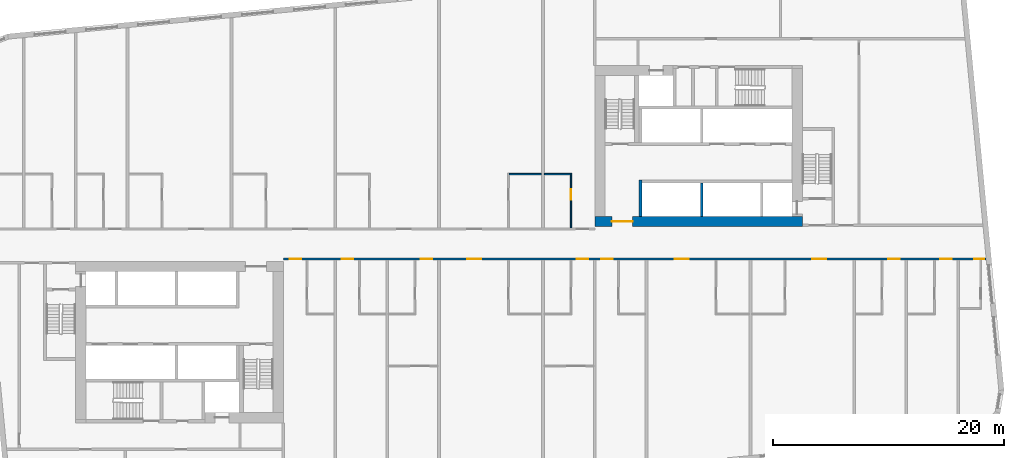
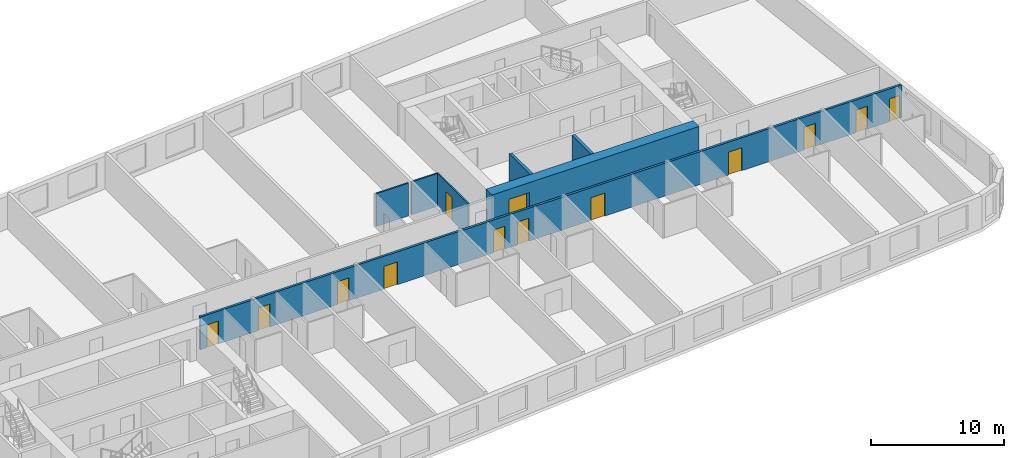
# One storey, part 5 of 12: 13 doors, 7 walls, 13 openings.
"""IFC4 building model written with IfcOpenShell, lengths in metres."""

from ifc_helpers import new_model, si_unit, direction, frame, frame_2d, origin, place, context, subcontext, project, spatial, rectangle, extrude, material, layer, layer_set, type_object, element, fill, save


model = new_model("IFC4")

# Units and contexts
model_context = context("Model", 3, precision=1e-05, world=origin(), true_north=direction((0.0, 1.0)))
body_context = subcontext(model_context, "Body", "Model", "MODEL_VIEW")
ifc_project = project(units=[si_unit("LENGTHUNIT", "METRE"), si_unit("AREAUNIT", "SQUARE_METRE"), si_unit("VOLUMEUNIT", "CUBIC_METRE"), si_unit("PLANEANGLEUNIT", "RADIAN"), si_unit("MASSUNIT", "GRAM", prefix="KILO")], contexts=[model_context])

# Site, building, storey
site_placement = place(None, origin())
site = spatial("IfcSite", under=ifc_project, at=site_placement, CompositionType="ELEMENT")
building_placement = place(site_placement, origin())
building = spatial("IfcBuilding", under=site, at=building_placement, Name="Kajstack Hotel Tower", CompositionType="ELEMENT")
storey_placement = place(building_placement, frame((0.0, 0.0, 114.10009765625)))
storey = spatial("IfcBuildingStorey", under=building, at=storey_placement, Name="L24", CompositionType="ELEMENT", Elevation=114.10009765625)

# Wall, opening, door
ifc_material_1 = material(Name="Concrete C60/75", Category="concrete")
ifc_layer_1 = layer(ifc_material_1, 0.89990234375)
ifc_layer_set_1 = layer_set([ifc_layer_1], Name="Core wall 900")
wall_type_1 = type_object("IfcWallType", Name="Core wall 900", PredefinedType="SHEAR", material=ifc_layer_set_1)
wall_1_placement = place(storey_placement, frame((13.5, 1.949951171875, 0.0), z_axis=(0.0, 0.0, 1.0), x_axis=(1.0, 0.0, 0.0)))
wall_1 = element("IfcWall", 1, at=wall_1_placement, inside=storey, type_object=wall_type_1, Name="Core wall E RN", PredefinedType="SHEAR", context=body_context, shape_type="SweptSolid", body=[
    extrude(rectangle(XDim=18.0, YDim=0.89990234375, at=frame_2d((9.0, 0.0))), origin(), (0.0, 0.0, 1.0), 3.02001953125),
])
opening_1_placement = place(wall_1_placement, frame((1.47509765625, 0.0, 0.0)))
opening_1 = element("IfcOpeningElement", 2, at=opening_1_placement, cuts=wall_1, Name="Opening 24E06", PredefinedType="OPENING", context=body_context, shape_type="SweptSolid", body=[
    extrude(rectangle(XDim=1.800048828125, YDim=2.10009765625, at=frame_2d((0.89990234375, 1.050048828125))), frame((0.0, 0.4599609375, 0.0), z_axis=(0.0, -1.0, 0.0), x_axis=(1.0, 0.0, 0.0)), (0.0, 0.0, 1.0), 0.919921875),
])
ifc_material_2 = material(Name="Glazed steel frame, fire-rated glass", Category="steel")
door_type_1 = type_object("IfcDoorType", Name="Lobby double door 1800", OperationType="DOUBLE_DOOR_DOUBLE_SWING", PredefinedType="DOOR", material=ifc_material_2)
door_1_placement = place(opening_1_placement, origin())
door_1 = element("IfcDoor", 3, at=door_1_placement, inside=storey, type_object=door_type_1, Name="Door 24E06", OperationType="DOUBLE_DOOR_DOUBLE_SWING", OverallHeight=2.10009765625, OverallWidth=1.800048828125, PredefinedType="DOOR", context=body_context, shape_type="SweptSolid", body=[
    extrude(rectangle(XDim=1.800048828125, YDim=2.10009765625, at=frame_2d((0.89990234375, 1.050048828125))), frame((0.0, 0.02490234375, 0.0), z_axis=(0.0, -1.0, 0.0), x_axis=(1.0, 0.0, 0.0)), (0.0, 0.0, 1.0), 0.050048828125),
])
fill(opening_1, door_1)

# Wall, openings, doors
ifc_material_3 = material(Name="Gypsum board on steel studs, mineral wool", Category="steel")
ifc_layer_2 = layer(ifc_material_3, 0.199951171875)
ifc_layer_set_2 = layer_set([ifc_layer_2], Name="Corridor wall 200")
wall_type_2 = type_object("IfcWallType", Name="Corridor wall 200", PredefinedType="PARTITIONING", material=ifc_layer_set_2)
wall_2_placement = place(storey_placement, frame((-13.5, -1.300048828125, 0.0), z_axis=(0.0, 0.0, 1.0), x_axis=(1.0, 0.0, 0.0)))
wall_2 = element("IfcWall", 4, at=wall_2_placement, inside=storey, type_object=wall_type_2, Name="G-wall-L24-021", PredefinedType="PARTITIONING", context=body_context, shape_type="SweptSolid", body=[
    extrude(rectangle(XDim=60.931884765625, YDim=0.199951171875, at=frame_2d((30.4658203125, 0.0))), origin(), (0.0, 0.0, 1.0), 3.02001953125),
])
opening_2_placement = place(wall_2_placement, frame((0.574951171875, 0.0, 0.0)))
opening_2 = element("IfcOpeningElement", 5, at=opening_2_placement, cuts=wall_2, Name="Opening 24017", PredefinedType="OPENING", context=body_context, shape_type="SweptSolid", body=[
    extrude(rectangle(XDim=1.0, YDim=2.10009765625, at=frame_2d((0.5, 1.050048828125))), frame((0.0, 0.10986328125, 0.0), z_axis=(0.0, -1.0, 0.0), x_axis=(1.0, 0.0, 0.0)), (0.0, 0.0, 1.0), 0.219970703125),
])
opening_3_placement = place(wall_2_placement, frame((5.074951171875, 0.0, 0.0)))
opening_3 = element("IfcOpeningElement", 6, at=opening_3_placement, cuts=wall_2, Name="Opening 24019", PredefinedType="OPENING", context=body_context, shape_type="SweptSolid", body=[
    extrude(rectangle(XDim=1.0, YDim=2.10009765625, at=frame_2d((0.5, 1.050048828125))), frame((0.0, 0.10986328125, 0.0), z_axis=(0.0, -1.0, 0.0), x_axis=(1.0, 0.0, 0.0)), (0.0, 0.0, 1.0), 0.219970703125),
])
opening_4_placement = place(wall_2_placement, frame((11.925048828125, 0.0, 0.0)))
opening_4 = element("IfcOpeningElement", 7, at=opening_4_placement, cuts=wall_2, Name="Opening 24021", PredefinedType="OPENING", context=body_context, shape_type="SweptSolid", body=[
    extrude(rectangle(XDim=1.0, YDim=2.10009765625, at=frame_2d((0.5, 1.050048828125))), frame((0.0, 0.10986328125, 0.0), z_axis=(0.0, -1.0, 0.0), x_axis=(1.0, 0.0, 0.0)), (0.0, 0.0, 1.0), 0.219970703125),
])
opening_5_placement = place(wall_2_placement, frame((15.93798828125, 0.0, 0.0)))
opening_5 = element("IfcOpeningElement", 8, at=opening_5_placement, cuts=wall_2, Name="Opening 24024", PredefinedType="OPENING", context=body_context, shape_type="SweptSolid", body=[
    extrude(rectangle(XDim=1.199951171875, YDim=2.10009765625, at=frame_2d((0.60009765625, 1.050048828125))), frame((0.0, 0.10986328125, 0.0), z_axis=(0.0, -1.0, 0.0), x_axis=(1.0, 0.0, 0.0)), (0.0, 0.0, 1.0), 0.219970703125),
])
opening_6_placement = place(wall_2_placement, frame((25.449951171875, 0.0, 0.0)))
opening_6 = element("IfcOpeningElement", 9, at=opening_6_placement, cuts=wall_2, Name="Opening 24026", PredefinedType="OPENING", context=body_context, shape_type="SweptSolid", body=[
    extrude(rectangle(XDim=1.0, YDim=2.10009765625, at=frame_2d((0.5, 1.050048828125))), frame((0.0, 0.10986328125, 0.0), z_axis=(0.0, -1.0, 0.0), x_axis=(1.0, 0.0, 0.0)), (0.0, 0.0, 1.0), 0.219970703125),
])
opening_7_placement = place(wall_2_placement, frame((27.550048828125, 0.0, 0.0)))
opening_7 = element("IfcOpeningElement", 10, at=opening_7_placement, cuts=wall_2, Name="Opening 24029", PredefinedType="OPENING", context=body_context, shape_type="SweptSolid", body=[
    extrude(rectangle(XDim=1.0, YDim=2.10009765625, at=frame_2d((0.5, 1.050048828125))), frame((0.0, 0.10986328125, 0.0), z_axis=(0.0, -1.0, 0.0), x_axis=(1.0, 0.0, 0.0)), (0.0, 0.0, 1.0), 0.219970703125),
])
opening_8_placement = place(wall_2_placement, frame((33.93798828125, 0.0, 0.0)))
opening_8 = element("IfcOpeningElement", 11, at=opening_8_placement, cuts=wall_2, Name="Opening 24031", PredefinedType="OPENING", context=body_context, shape_type="SweptSolid", body=[
    extrude(rectangle(XDim=1.199951171875, YDim=2.10009765625, at=frame_2d((0.60009765625, 1.050048828125))), frame((0.0, 0.10986328125, 0.0), z_axis=(0.0, -1.0, 0.0), x_axis=(1.0, 0.0, 0.0)), (0.0, 0.0, 1.0), 0.219970703125),
])
opening_9_placement = place(wall_2_placement, frame((45.862060546875, 0.0, 0.0)))
opening_9 = element("IfcOpeningElement", 12, at=opening_9_placement, cuts=wall_2, Name="Opening 24033", PredefinedType="OPENING", context=body_context, shape_type="SweptSolid", body=[
    extrude(rectangle(XDim=1.199951171875, YDim=2.10009765625, at=frame_2d((0.60009765625, 1.050048828125))), frame((0.0, 0.10986328125, 0.0), z_axis=(0.0, -1.0, 0.0), x_axis=(1.0, 0.0, 0.0)), (0.0, 0.0, 1.0), 0.219970703125),
])
opening_10_placement = place(wall_2_placement, frame((52.425048828125, 0.0, 0.0)))
opening_10 = element("IfcOpeningElement", 13, at=opening_10_placement, cuts=wall_2, Name="Opening 24035", PredefinedType="OPENING", context=body_context, shape_type="SweptSolid", body=[
    extrude(rectangle(XDim=1.0, YDim=2.10009765625, at=frame_2d((0.5, 1.050048828125))), frame((0.0, 0.10986328125, 0.0), z_axis=(0.0, -1.0, 0.0), x_axis=(1.0, 0.0, 0.0)), (0.0, 0.0, 1.0), 0.219970703125),
])
opening_11_placement = place(wall_2_placement, frame((56.949951171875, 0.0, 0.0)))
opening_11 = element("IfcOpeningElement", 14, at=opening_11_placement, cuts=wall_2, Name="Opening 24037", PredefinedType="OPENING", context=body_context, shape_type="SweptSolid", body=[
    extrude(rectangle(XDim=1.0, YDim=2.10009765625, at=frame_2d((0.5, 1.050048828125))), frame((0.0, 0.10986328125, 0.0), z_axis=(0.0, -1.0, 0.0), x_axis=(1.0, 0.0, 0.0)), (0.0, 0.0, 1.0), 0.219970703125),
])
opening_12_placement = place(wall_2_placement, frame((59.882080078125, 0.0, 0.0)))
opening_12 = element("IfcOpeningElement", 15, at=opening_12_placement, cuts=wall_2, Name="Opening 24039", PredefinedType="OPENING", context=body_context, shape_type="SweptSolid", body=[
    extrude(rectangle(XDim=0.89990234375, YDim=2.10009765625, at=frame_2d((0.449951171875, 1.050048828125))), frame((0.0, 0.10986328125, 0.0), z_axis=(0.0, -1.0, 0.0), x_axis=(1.0, 0.0, 0.0)), (0.0, 0.0, 1.0), 0.219970703125),
])
ifc_material_4 = material(Name="Oak veneer on timber core, fire-rated leaf", Category="wood")
door_type_2 = type_object("IfcDoorType", Name="Flat entrance door 1000", OperationType="SINGLE_SWING_LEFT", PredefinedType="DOOR", material=ifc_material_4)
door_2_placement = place(opening_2_placement, origin())
door_2 = element("IfcDoor", 16, at=door_2_placement, inside=storey, type_object=door_type_2, Name="G-door-L24-17", OperationType="SINGLE_SWING_LEFT", OverallHeight=2.10009765625, OverallWidth=1.0, PredefinedType="DOOR", context=body_context, shape_type="SweptSolid", body=[
    extrude(rectangle(XDim=1.0, YDim=2.10009765625, at=frame_2d((0.5, 1.050048828125))), frame((0.0, 0.02490234375, 0.0), z_axis=(0.0, -1.0, 0.0), x_axis=(1.0, 0.0, 0.0)), (0.0, 0.0, 1.0), 0.050048828125),
])
fill(opening_2, door_2)
door_3_placement = place(opening_3_placement, origin())
door_3 = element("IfcDoor", 17, at=door_3_placement, inside=storey, type_object=door_type_2, Name="G-door-L24-19", OperationType="SINGLE_SWING_RIGHT", OverallHeight=2.10009765625, OverallWidth=1.0, PredefinedType="DOOR", context=body_context, shape_type="SweptSolid", body=[
    extrude(rectangle(XDim=1.0, YDim=2.10009765625, at=frame_2d((0.5, 1.050048828125))), frame((0.0, 0.02490234375, 0.0), z_axis=(0.0, -1.0, 0.0), x_axis=(1.0, 0.0, 0.0)), (0.0, 0.0, 1.0), 0.050048828125),
])
fill(opening_3, door_3)
door_4_placement = place(opening_4_placement, origin())
door_4 = element("IfcDoor", 18, at=door_4_placement, inside=storey, type_object=door_type_2, Name="G-door-L24-21", OperationType="SINGLE_SWING_LEFT", OverallHeight=2.10009765625, OverallWidth=1.0, PredefinedType="DOOR", context=body_context, shape_type="SweptSolid", body=[
    extrude(rectangle(XDim=1.0, YDim=2.10009765625, at=frame_2d((0.5, 1.050048828125))), frame((0.0, 0.02490234375, 0.0), z_axis=(0.0, -1.0, 0.0), x_axis=(1.0, 0.0, 0.0)), (0.0, 0.0, 1.0), 0.050048828125),
])
fill(opening_4, door_4)
door_5_placement = place(opening_6_placement, origin())
door_5 = element("IfcDoor", 19, at=door_5_placement, inside=storey, type_object=door_type_2, Name="G-door-L24-26", OperationType="SINGLE_SWING_LEFT", OverallHeight=2.10009765625, OverallWidth=1.0, PredefinedType="DOOR", context=body_context, shape_type="SweptSolid", body=[
    extrude(rectangle(XDim=1.0, YDim=2.10009765625, at=frame_2d((0.5, 1.050048828125))), frame((0.0, 0.02490234375, 0.0), z_axis=(0.0, -1.0, 0.0), x_axis=(1.0, 0.0, 0.0)), (0.0, 0.0, 1.0), 0.050048828125),
])
fill(opening_6, door_5)
door_6_placement = place(opening_7_placement, origin())
door_6 = element("IfcDoor", 20, at=door_6_placement, inside=storey, type_object=door_type_2, Name="G-door-L24-29", OperationType="SINGLE_SWING_LEFT", OverallHeight=2.10009765625, OverallWidth=1.0, PredefinedType="DOOR", context=body_context, shape_type="SweptSolid", body=[
    extrude(rectangle(XDim=1.0, YDim=2.10009765625, at=frame_2d((0.5, 1.050048828125))), frame((0.0, 0.02490234375, 0.0), z_axis=(0.0, -1.0, 0.0), x_axis=(1.0, 0.0, 0.0)), (0.0, 0.0, 1.0), 0.050048828125),
])
fill(opening_7, door_6)
door_7_placement = place(opening_10_placement, origin())
door_7 = element("IfcDoor", 21, at=door_7_placement, inside=storey, type_object=door_type_2, Name="G-door-L24-35", OperationType="SINGLE_SWING_LEFT", OverallHeight=2.10009765625, OverallWidth=1.0, PredefinedType="DOOR", context=body_context, shape_type="SweptSolid", body=[
    extrude(rectangle(XDim=1.0, YDim=2.10009765625, at=frame_2d((0.5, 1.050048828125))), frame((0.0, 0.02490234375, 0.0), z_axis=(0.0, -1.0, 0.0), x_axis=(1.0, 0.0, 0.0)), (0.0, 0.0, 1.0), 0.050048828125),
])
fill(opening_10, door_7)
door_8_placement = place(opening_11_placement, origin())
door_8 = element("IfcDoor", 22, at=door_8_placement, inside=storey, type_object=door_type_2, Name="G-door-L24-37", OperationType="SINGLE_SWING_RIGHT", OverallHeight=2.10009765625, OverallWidth=1.0, PredefinedType="DOOR", context=body_context, shape_type="SweptSolid", body=[
    extrude(rectangle(XDim=1.0, YDim=2.10009765625, at=frame_2d((0.5, 1.050048828125))), frame((0.0, 0.02490234375, 0.0), z_axis=(0.0, -1.0, 0.0), x_axis=(1.0, 0.0, 0.0)), (0.0, 0.0, 1.0), 0.050048828125),
])
fill(opening_11, door_8)
door_type_3 = type_object("IfcDoorType", Name="Flat entrance door 1200", OperationType="SINGLE_SWING_LEFT", PredefinedType="DOOR", material=ifc_material_4)
door_9_placement = place(opening_5_placement, origin())
door_9 = element("IfcDoor", 23, at=door_9_placement, inside=storey, type_object=door_type_3, Name="G-door-L24-24", OperationType="SINGLE_SWING_LEFT", OverallHeight=2.10009765625, OverallWidth=1.199951171875, PredefinedType="DOOR", context=body_context, shape_type="SweptSolid", body=[
    extrude(rectangle(XDim=1.199951171875, YDim=2.10009765625, at=frame_2d((0.60009765625, 1.050048828125))), frame((0.0, 0.02490234375, 0.0), z_axis=(0.0, -1.0, 0.0), x_axis=(1.0, 0.0, 0.0)), (0.0, 0.0, 1.0), 0.050048828125),
])
fill(opening_5, door_9)
door_10_placement = place(opening_8_placement, origin())
door_10 = element("IfcDoor", 24, at=door_10_placement, inside=storey, type_object=door_type_3, Name="G-door-L24-31", OperationType="SINGLE_SWING_RIGHT", OverallHeight=2.10009765625, OverallWidth=1.199951171875, PredefinedType="DOOR", context=body_context, shape_type="SweptSolid", body=[
    extrude(rectangle(XDim=1.199951171875, YDim=2.10009765625, at=frame_2d((0.60009765625, 1.050048828125))), frame((0.0, 0.02490234375, 0.0), z_axis=(0.0, -1.0, 0.0), x_axis=(1.0, 0.0, 0.0)), (0.0, 0.0, 1.0), 0.050048828125),
])
fill(opening_8, door_10)
door_11_placement = place(opening_9_placement, origin())
door_11 = element("IfcDoor", 25, at=door_11_placement, inside=storey, type_object=door_type_3, Name="G-door-L24-33", OperationType="SINGLE_SWING_RIGHT", OverallHeight=2.10009765625, OverallWidth=1.199951171875, PredefinedType="DOOR", context=body_context, shape_type="SweptSolid", body=[
    extrude(rectangle(XDim=1.199951171875, YDim=2.10009765625, at=frame_2d((0.60009765625, 1.050048828125))), frame((0.0, 0.02490234375, 0.0), z_axis=(0.0, -1.0, 0.0), x_axis=(1.0, 0.0, 0.0)), (0.0, 0.0, 1.0), 0.050048828125),
])
fill(opening_9, door_11)
ifc_material_5 = material(Name="Painted timber door leaf", Category="wood")
door_type_4 = type_object("IfcDoorType", Name="Room door 900", OperationType="SINGLE_SWING_LEFT", PredefinedType="DOOR", material=ifc_material_5)
door_12_placement = place(opening_12_placement, origin())
door_12 = element("IfcDoor", 26, at=door_12_placement, inside=storey, type_object=door_type_4, Name="G-door-L24-39", OperationType="SINGLE_SWING_LEFT", OverallHeight=2.10009765625, OverallWidth=0.89990234375, PredefinedType="DOOR", context=body_context, shape_type="SweptSolid", body=[
    extrude(rectangle(XDim=0.89990234375, YDim=2.10009765625, at=frame_2d((0.449951171875, 1.050048828125))), frame((0.0, 0.02490234375, 0.0), z_axis=(0.0, -1.0, 0.0), x_axis=(1.0, 0.0, 0.0)), (0.0, 0.0, 1.0), 0.050048828125),
])
fill(opening_12, door_12)

# Wall
ifc_material_6 = material(Name="Gypsum board and tiled backer on steel studs", Category="steel")
ifc_layer_3 = layer(ifc_material_6, 0.125)
ifc_layer_set_3 = layer_set([ifc_layer_3], Name="En-suite wall 125")
wall_type_3 = type_object("IfcWallType", Name="En-suite wall 125", PredefinedType="PARTITIONING", material=ifc_layer_set_3)
wall_3_placement = place(storey_placement, frame((6.074951171875, 6.06201171875, 0.0), z_axis=(0.0, 0.0, 1.0), x_axis=(1.0, 0.0, 0.0)))
element("IfcWall", 27, at=wall_3_placement, inside=storey, type_object=wall_type_3, Name="G-wall-L24-018", PredefinedType="PARTITIONING", context=body_context, shape_type="SweptSolid", body=[
    extrude(rectangle(XDim=2.800048828125, YDim=0.125, at=frame_2d((1.39990234375, 0.0))), origin(), (0.0, 0.0, 1.0), 3.02001953125),
])

# Wall, opening, door
wall_4_placement = place(storey_placement, frame((11.43798828125, 1.39990234375, 0.0), z_axis=(0.0, 0.0, 1.0), x_axis=(0.0, 1.0, 0.0)))
wall_4 = element("IfcWall", 28, at=wall_4_placement, inside=storey, type_object=wall_type_3, Name="G-wall-L24-019", PredefinedType="PARTITIONING", context=body_context, shape_type="SweptSolid", body=[
    extrude(rectangle(XDim=4.72509765625, YDim=0.125, at=frame_2d((2.362548828125, 0.0))), origin(), (0.0, 0.0, 1.0), 3.02001953125),
])
opening_13_placement = place(wall_4_placement, frame((2.449951171875, 0.0, 0.0)))
opening_13 = element("IfcOpeningElement", 29, at=opening_13_placement, cuts=wall_4, Name="Opening 24016", PredefinedType="OPENING", context=body_context, shape_type="SweptSolid", body=[
    extrude(rectangle(XDim=0.89990234375, YDim=2.10009765625, at=frame_2d((0.449951171875, 1.050048828125))), frame((0.0, 0.072509765625, 0.0), z_axis=(0.0, -1.0, 0.0), x_axis=(1.0, 0.0, 0.0)), (0.0, 0.0, 1.0), 0.14501953125),
])
door_13_placement = place(opening_13_placement, origin())
door_13 = element("IfcDoor", 30, at=door_13_placement, inside=storey, type_object=door_type_4, Name="G-door-L24-16", OperationType="SINGLE_SWING_LEFT", OverallHeight=2.10009765625, OverallWidth=0.89990234375, PredefinedType="DOOR", context=body_context, shape_type="SweptSolid", body=[
    extrude(rectangle(XDim=0.89990234375, YDim=2.10009765625, at=frame_2d((0.449951171875, 1.050048828125))), frame((0.0, 0.02490234375, 0.0), z_axis=(0.0, -1.0, 0.0), x_axis=(1.0, 0.0, 0.0)), (0.0, 0.0, 1.0), 0.050048828125),
])
fill(opening_13, door_13)

# Walls
wall_5_placement = place(storey_placement, frame((9.125, 6.06201171875, 0.0), z_axis=(0.0, 0.0, 1.0), x_axis=(1.0, 0.0, 0.0)))
element("IfcWall", 31, at=wall_5_placement, inside=storey, type_object=wall_type_3, Name="G-wall-L24-020", PredefinedType="PARTITIONING", context=body_context, shape_type="SweptSolid", body=[
    extrude(rectangle(XDim=2.25, YDim=0.125, at=frame_2d((1.125, 0.0))), origin(), (0.0, 0.0, 1.0), 3.02001953125),
])
ifc_material_7 = material(Name="Concrete C50/60", Category="concrete")
ifc_layer_4 = layer(ifc_material_7, 0.300048828125)
ifc_layer_set_4 = layer_set([ifc_layer_4], Name="Hoistway divider wall 300")
wall_type_4 = type_object("IfcWallType", Name="Hoistway divider wall 300", PredefinedType="SHEAR", material=ifc_layer_set_4)
wall_6_placement = place(storey_placement, frame((22.77490234375, 2.39990234375, 0.0), z_axis=(0.0, 0.0, 1.0), x_axis=(0.0, 1.0, 0.0)))
element("IfcWall", 32, at=wall_6_placement, inside=storey, type_object=wall_type_4, Name="Core wall E AP2", PredefinedType="SHEAR", context=body_context, shape_type="SweptSolid", body=[
    extrude(rectangle(XDim=2.900146484375, YDim=0.25, at=frame_2d((1.4501953125, 0.0))), origin(), (0.0, 0.0, 1.0), 3.02001953125),
])
ifc_layer_5 = layer(ifc_material_7, 0.25)
ifc_layer_set_5 = layer_set([ifc_layer_5], Name="Shaft wall 250")
wall_type_5 = type_object("IfcWallType", Name="Shaft wall 250", PredefinedType="SHEAR", material=ifc_layer_set_5)
wall_7_placement = place(storey_placement, frame((17.47509765625, 2.39990234375, 0.0), z_axis=(0.0, 0.0, 1.0), x_axis=(0.0, 1.0, 0.0)))
element("IfcWall", 33, at=wall_7_placement, inside=storey, type_object=wall_type_5, Name="Core wall E AE", PredefinedType="SHEAR", context=body_context, shape_type="SweptSolid", body=[
    extrude(rectangle(XDim=3.150146484375, YDim=0.25, at=frame_2d((1.5751953125, 0.0))), origin(), (0.0, 0.0, 1.0), 3.02001953125),
])

save(model, "model.ifc")
